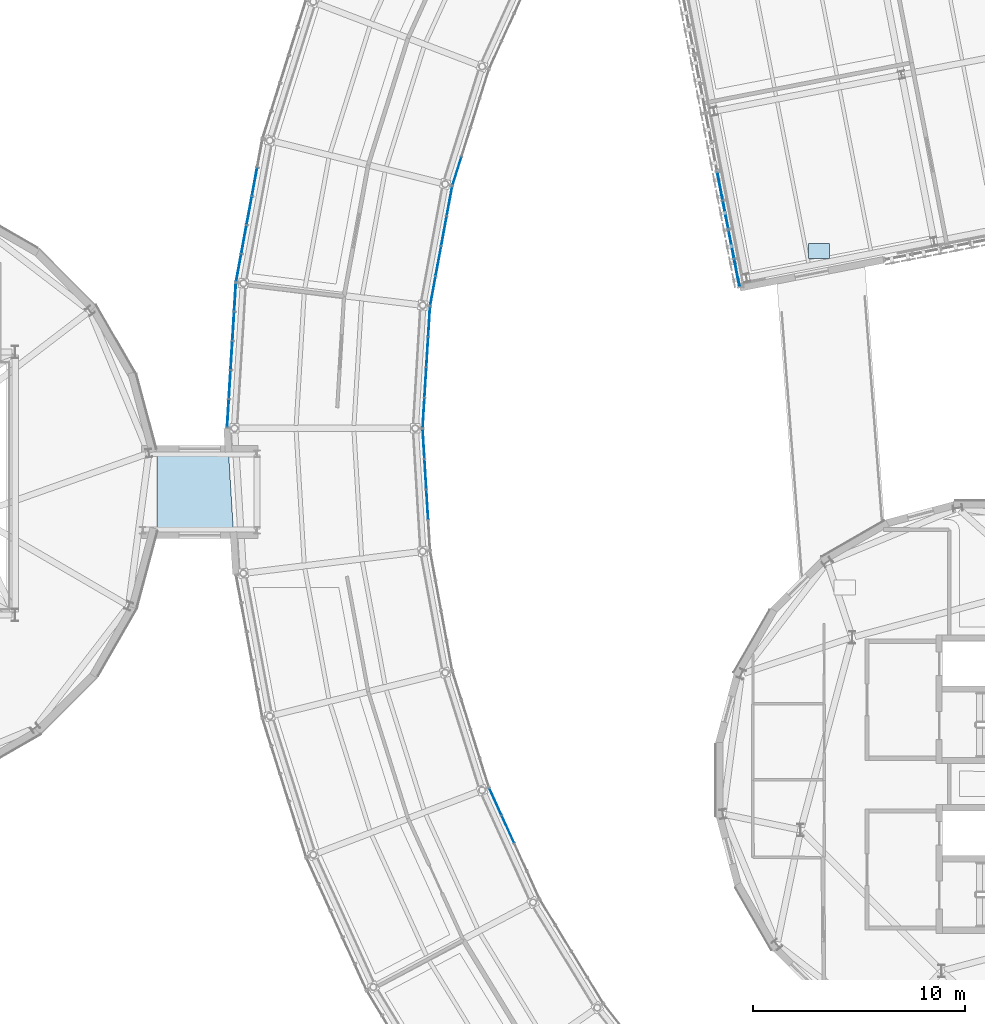
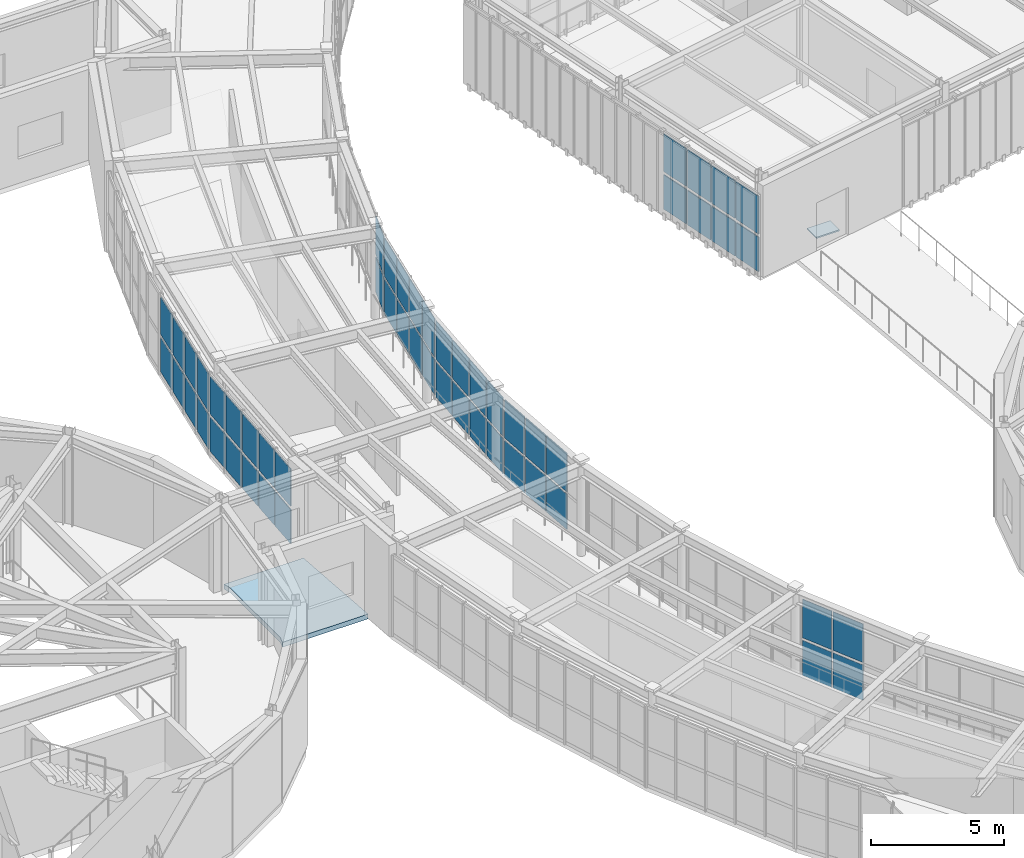
# One storey, part 58 of 103: 55 plates, 1 slab, 8 elements without a shape of their own.
"""IFC4 building model written with IfcOpenShell, lengths in metres."""

from ifc_helpers import new_model, si_unit, direction, frame, origin, origin_2d, place, context, subcontext, project, spatial, polyline, rectangle, outline, extrude, material, layer, layer_set, type_object, element, aggregate, save


model = new_model("IFC4")

# Units and contexts
model_context = context("Model", 3, precision=1e-05, world=origin(), true_north=direction((0.0, 1.0)))
body_context = subcontext(model_context, "Body", "Model", "MODEL_VIEW")
ifc_project = project(units=[si_unit("LENGTHUNIT", "METRE"), si_unit("AREAUNIT", "SQUARE_METRE"), si_unit("VOLUMEUNIT", "CUBIC_METRE"), si_unit("PLANEANGLEUNIT", "RADIAN"), si_unit("MASSUNIT", "GRAM", prefix="KILO")], contexts=[model_context])

# Site, building, storey
site_placement = place(None, origin())
site = spatial("IfcSite", under=ifc_project, at=site_placement, CompositionType="ELEMENT")
building_placement = place(site_placement, origin())
building = spatial("IfcBuilding", under=site, at=building_placement, Name="Varnklinge Art Gallery", CompositionType="ELEMENT")
storey_placement = place(building_placement, frame((0.0, 0.0, 5.10009765625)))
storey = spatial("IfcBuildingStorey", under=building, at=storey_placement, Name="L01", CompositionType="ELEMENT", Elevation=5.10009765625)

# Curtain wall, plates
ifc_material_1 = material(Name="Anodised Aluminium", Category="aluminium")
curtain_wall_type_1 = type_object("IfcCurtainWallType", Name="CW-R04", PredefinedType="USERDEFINED", material=ifc_material_1)
curtain_wall_1_placement = place(storey_placement, origin())
curtain_wall_1 = element("IfcCurtainWall", 1, at=curtain_wall_1_placement, inside=storey, type_object=curtain_wall_type_1, Name="L01 Curtain Wall CW-V2I-L01-24", ObjectType="UNITISED CURTAIN WALL", PredefinedType="USERDEFINED")
ifc_material_2 = material(Name="Insulated Low-E Triple Glazing", Category="glass")
ifc_layer_1 = layer(ifc_material_2, 0.031982421875)
ifc_layer_set_1 = layer_set([ifc_layer_1], Name="Insulated Low-E Triple Glazing")
plate_type_1 = type_object("IfcPlateType", Name="GLZ-32", PredefinedType="CURTAIN_PANEL", material=ifc_layer_set_1)
plate_1_placement = place(storey_placement, frame((50.2275390625, 67.129638671875, 0.11767578125), z_axis=(0.0, 0.0, 1.0), x_axis=(0.299706904751, 0.954031326134, 0.0)))
plate_1 = element("IfcPlate", 2, at=plate_1_placement, type_object=plate_type_1, Name="CW-V2I-L01-24 Glazing Panel 1.1", PredefinedType="CURTAIN_PANEL", context=body_context, shape_type="SweptSolid", body=[
    extrude(rectangle(XDim=1.355712890625, YDim=0.031982421875, at=origin_2d()), origin(), (0.0, 0.0, 1.0), 1.614501953125),
])
plate_2_placement = place(storey_placement, frame((50.2275390625, 67.129638671875, 1.84814453125), z_axis=(0.0, 0.0, 1.0), x_axis=(0.299706904751, 0.954031326134, 0.0)))
plate_2 = element("IfcPlate", 3, at=plate_2_placement, type_object=plate_type_1, Name="CW-V2I-L01-24 Glazing Panel 1.2", PredefinedType="CURTAIN_PANEL", context=body_context, shape_type="SweptSolid", body=[
    extrude(rectangle(XDim=1.355712890625, YDim=0.031982421875, at=origin_2d()), origin(), (0.0, 0.0, 1.0), 1.763671875),
])
aggregate(curtain_wall_1, [plate_1, plate_2])

curtain_wall_2_placement = place(storey_placement, origin())
curtain_wall_2 = element("IfcCurtainWall", 4, at=curtain_wall_2_placement, inside=storey, type_object=curtain_wall_type_1, Name="L01 Curtain Wall CW-V2I-L01-25", ObjectType="UNITISED CURTAIN WALL", PredefinedType="USERDEFINED")
plate_3_placement = place(storey_placement, frame((49.093017578125, 61.47998046875, 0.11767578125), z_axis=(0.0, 0.0, 1.0), x_axis=(0.181549039717, 0.983381892338, 0.0)))
plate_3 = element("IfcPlate", 5, at=plate_3_placement, type_object=plate_type_1, Name="CW-V2I-L01-25 Glazing Panel 1.1", PredefinedType="CURTAIN_PANEL", context=body_context, shape_type="SweptSolid", body=[
    extrude(rectangle(XDim=1.355712890625, YDim=0.031982421875, at=origin_2d()), origin(), (0.0, 0.0, 1.0), 1.614501953125),
])
plate_4_placement = place(storey_placement, frame((49.093017578125, 61.47998046875, 1.84814453125), z_axis=(0.0, 0.0, 1.0), x_axis=(0.181549039717, 0.983381892338, 0.0)))
plate_4 = element("IfcPlate", 6, at=plate_4_placement, type_object=plate_type_1, Name="CW-V2I-L01-25 Glazing Panel 1.2", PredefinedType="CURTAIN_PANEL", context=body_context, shape_type="SweptSolid", body=[
    extrude(rectangle(XDim=1.355712890625, YDim=0.031982421875, at=origin_2d()), origin(), (0.0, 0.0, 1.0), 1.763671875),
])
plate_5_placement = place(storey_placement, frame((49.352294921875, 62.883056640625, 0.11767578125), z_axis=(0.0, 0.0, 1.0), x_axis=(0.181549039717, 0.983381892338, 0.0)))
plate_5 = element("IfcPlate", 7, at=plate_5_placement, type_object=plate_type_1, Name="CW-V2I-L01-25 Glazing Panel 2.1", PredefinedType="CURTAIN_PANEL", context=body_context, shape_type="SweptSolid", body=[
    extrude(rectangle(XDim=1.3857421875, YDim=0.031982421875, at=origin_2d()), origin(), (0.0, 0.0, 1.0), 1.614501953125),
])
plate_6_placement = place(storey_placement, frame((49.352294921875, 62.883056640625, 1.84814453125), z_axis=(0.0, 0.0, 1.0), x_axis=(0.181549039717, 0.983381892338, 0.0)))
plate_6 = element("IfcPlate", 8, at=plate_6_placement, type_object=plate_type_1, Name="CW-V2I-L01-25 Glazing Panel 2.2", PredefinedType="CURTAIN_PANEL", context=body_context, shape_type="SweptSolid", body=[
    extrude(rectangle(XDim=1.3857421875, YDim=0.031982421875, at=origin_2d()), origin(), (0.0, 0.0, 1.0), 1.763671875),
])
plate_7_placement = place(storey_placement, frame((49.614013671875, 64.30078125, 0.11767578125), z_axis=(0.0, 0.0, 1.0), x_axis=(0.181549039717, 0.983381892338, 0.0)))
plate_7 = element("IfcPlate", 9, at=plate_7_placement, type_object=plate_type_1, Name="CW-V2I-L01-25 Glazing Panel 3.1", PredefinedType="CURTAIN_PANEL", context=body_context, shape_type="SweptSolid", body=[
    extrude(rectangle(XDim=1.3857421875, YDim=0.031982421875, at=origin_2d()), origin(), (0.0, 0.0, 1.0), 1.614501953125),
])
plate_8_placement = place(storey_placement, frame((49.614013671875, 64.30078125, 1.84814453125), z_axis=(0.0, 0.0, 1.0), x_axis=(0.181549039717, 0.983381892338, 0.0)))
plate_8 = element("IfcPlate", 10, at=plate_8_placement, type_object=plate_type_1, Name="CW-V2I-L01-25 Glazing Panel 3.2", PredefinedType="CURTAIN_PANEL", context=body_context, shape_type="SweptSolid", body=[
    extrude(rectangle(XDim=1.3857421875, YDim=0.031982421875, at=origin_2d()), origin(), (0.0, 0.0, 1.0), 1.763671875),
])
plate_9_placement = place(storey_placement, frame((49.873291015625, 65.703857421875, 0.11767578125), z_axis=(0.0, 0.0, 1.0), x_axis=(0.181549039717, 0.983381892338, 0.0)))
plate_9 = element("IfcPlate", 11, at=plate_9_placement, type_object=plate_type_1, Name="CW-V2I-L01-25 Glazing Panel 4.1", PredefinedType="CURTAIN_PANEL", context=body_context, shape_type="SweptSolid", body=[
    extrude(rectangle(XDim=1.355712890625, YDim=0.031982421875, at=origin_2d()), origin(), (0.0, 0.0, 1.0), 1.614501953125),
])
plate_10_placement = place(storey_placement, frame((49.873291015625, 65.703857421875, 1.84814453125), z_axis=(0.0, 0.0, 1.0), x_axis=(0.181549039717, 0.983381892338, 0.0)))
plate_10 = element("IfcPlate", 12, at=plate_10_placement, type_object=plate_type_1, Name="CW-V2I-L01-25 Glazing Panel 4.2", PredefinedType="CURTAIN_PANEL", context=body_context, shape_type="SweptSolid", body=[
    extrude(rectangle(XDim=1.355712890625, YDim=0.031982421875, at=origin_2d()), origin(), (0.0, 0.0, 1.0), 1.763671875),
])
aggregate(curtain_wall_2, [plate_3, plate_4, plate_5, plate_6, plate_7, plate_8, plate_9, plate_10])

curtain_wall_3_placement = place(storey_placement, origin())
curtain_wall_3 = element("IfcCurtainWall", 13, at=curtain_wall_3_placement, inside=storey, type_object=curtain_wall_type_1, Name="L01 Curtain Wall CW-V2I-L01-26", ObjectType="UNITISED CURTAIN WALL", PredefinedType="USERDEFINED")
plate_11_placement = place(storey_placement, frame((48.6533203125, 55.734619140625, 0.11767578125), z_axis=(0.0, 0.0, 1.0), x_axis=(0.06087433122, 0.9981454382, 0.0)))
plate_11 = element("IfcPlate", 14, at=plate_11_placement, type_object=plate_type_1, Name="CW-V2I-L01-26 Glazing Panel 1.1", PredefinedType="CURTAIN_PANEL", context=body_context, shape_type="SweptSolid", body=[
    extrude(rectangle(XDim=1.355712890625, YDim=0.031982421875, at=origin_2d()), origin(), (0.0, 0.0, 1.0), 1.614501953125),
])
plate_12_placement = place(storey_placement, frame((48.6533203125, 55.734619140625, 1.84814453125), z_axis=(0.0, 0.0, 1.0), x_axis=(0.06087433122, 0.9981454382, 0.0)))
plate_12 = element("IfcPlate", 15, at=plate_12_placement, type_object=plate_type_1, Name="CW-V2I-L01-26 Glazing Panel 1.2", PredefinedType="CURTAIN_PANEL", context=body_context, shape_type="SweptSolid", body=[
    extrude(rectangle(XDim=1.355712890625, YDim=0.031982421875, at=origin_2d()), origin(), (0.0, 0.0, 1.0), 1.763671875),
])
plate_13_placement = place(storey_placement, frame((48.739990234375, 57.15869140625, 0.11767578125), z_axis=(0.0, 0.0, 1.0), x_axis=(0.06087433122, 0.9981454382, 0.0)))
plate_13 = element("IfcPlate", 16, at=plate_13_placement, type_object=plate_type_1, Name="CW-V2I-L01-26 Glazing Panel 2.1", PredefinedType="CURTAIN_PANEL", context=body_context, shape_type="SweptSolid", body=[
    extrude(rectangle(XDim=1.3857421875, YDim=0.031982421875, at=origin_2d()), origin(), (0.0, 0.0, 1.0), 1.614501953125),
])
plate_14_placement = place(storey_placement, frame((48.739990234375, 57.15869140625, 1.84814453125), z_axis=(0.0, 0.0, 1.0), x_axis=(0.06087433122, 0.9981454382, 0.0)))
plate_14 = element("IfcPlate", 17, at=plate_14_placement, type_object=plate_type_1, Name="CW-V2I-L01-26 Glazing Panel 2.2", PredefinedType="CURTAIN_PANEL", context=body_context, shape_type="SweptSolid", body=[
    extrude(rectangle(XDim=1.3857421875, YDim=0.031982421875, at=origin_2d()), origin(), (0.0, 0.0, 1.0), 1.763671875),
])
plate_15_placement = place(storey_placement, frame((48.827880859375, 58.59765625, 0.11767578125), z_axis=(0.0, 0.0, 1.0), x_axis=(0.06087433122, 0.9981454382, 0.0)))
plate_15 = element("IfcPlate", 18, at=plate_15_placement, type_object=plate_type_1, Name="CW-V2I-L01-26 Glazing Panel 3.1", PredefinedType="CURTAIN_PANEL", context=body_context, shape_type="SweptSolid", body=[
    extrude(rectangle(XDim=1.3857421875, YDim=0.031982421875, at=origin_2d()), origin(), (0.0, 0.0, 1.0), 1.614501953125),
])
plate_16_placement = place(storey_placement, frame((48.827880859375, 58.59765625, 1.84814453125), z_axis=(0.0, 0.0, 1.0), x_axis=(0.06087433122, 0.9981454382, 0.0)))
plate_16 = element("IfcPlate", 19, at=plate_16_placement, type_object=plate_type_1, Name="CW-V2I-L01-26 Glazing Panel 3.2", PredefinedType="CURTAIN_PANEL", context=body_context, shape_type="SweptSolid", body=[
    extrude(rectangle(XDim=1.3857421875, YDim=0.031982421875, at=origin_2d()), origin(), (0.0, 0.0, 1.0), 1.763671875),
])
plate_17_placement = place(storey_placement, frame((48.91455078125, 60.02197265625, 0.11767578125), z_axis=(0.0, 0.0, 1.0), x_axis=(0.06087433122, 0.9981454382, 0.0)))
plate_17 = element("IfcPlate", 20, at=plate_17_placement, type_object=plate_type_1, Name="CW-V2I-L01-26 Glazing Panel 4.1", PredefinedType="CURTAIN_PANEL", context=body_context, shape_type="SweptSolid", body=[
    extrude(rectangle(XDim=1.355712890625, YDim=0.031982421875, at=origin_2d()), origin(), (0.0, 0.0, 1.0), 1.614501953125),
])
plate_18_placement = place(storey_placement, frame((48.91455078125, 60.02197265625, 1.84814453125), z_axis=(0.0, 0.0, 1.0), x_axis=(0.06087433122, 0.9981454382, 0.0)))
plate_18 = element("IfcPlate", 21, at=plate_18_placement, type_object=plate_type_1, Name="CW-V2I-L01-26 Glazing Panel 4.2", PredefinedType="CURTAIN_PANEL", context=body_context, shape_type="SweptSolid", body=[
    extrude(rectangle(XDim=1.355712890625, YDim=0.031982421875, at=origin_2d()), origin(), (0.0, 0.0, 1.0), 1.763671875),
])
aggregate(curtain_wall_3, [plate_11, plate_12, plate_13, plate_14, plate_15, plate_16, plate_17, plate_18])

curtain_wall_4_placement = place(storey_placement, origin())
curtain_wall_4 = element("IfcCurtainWall", 22, at=curtain_wall_4_placement, inside=storey, type_object=curtain_wall_type_1, Name="L01 Curtain Wall CW-V2I-L01-27", ObjectType="UNITISED CURTAIN WALL", PredefinedType="USERDEFINED")
plate_19_placement = place(storey_placement, frame((48.827880859375, 51.40234375, 0.11767578125), z_axis=(0.0, 0.0, 1.0), x_axis=(-0.06087433122, 0.9981454382, 0.0)))
plate_19 = element("IfcPlate", 23, at=plate_19_placement, type_object=plate_type_1, Name="CW-V2I-L01-27 Glazing Panel 2.1", PredefinedType="CURTAIN_PANEL", context=body_context, shape_type="SweptSolid", body=[
    extrude(rectangle(XDim=1.3857421875, YDim=0.031982421875, at=origin_2d()), origin(), (0.0, 0.0, 1.0), 1.614501953125),
])
plate_20_placement = place(storey_placement, frame((48.827880859375, 51.40234375, 1.84814453125), z_axis=(0.0, 0.0, 1.0), x_axis=(-0.06087433122, 0.9981454382, 0.0)))
plate_20 = element("IfcPlate", 24, at=plate_20_placement, type_object=plate_type_1, Name="CW-V2I-L01-27 Glazing Panel 2.2", PredefinedType="CURTAIN_PANEL", context=body_context, shape_type="SweptSolid", body=[
    extrude(rectangle(XDim=1.3857421875, YDim=0.031982421875, at=origin_2d()), origin(), (0.0, 0.0, 1.0), 1.763671875),
])
plate_21_placement = place(storey_placement, frame((48.739990234375, 52.84130859375, 0.11767578125), z_axis=(0.0, 0.0, 1.0), x_axis=(-0.06087433122, 0.9981454382, 0.0)))
plate_21 = element("IfcPlate", 25, at=plate_21_placement, type_object=plate_type_1, Name="CW-V2I-L01-27 Glazing Panel 3.1", PredefinedType="CURTAIN_PANEL", context=body_context, shape_type="SweptSolid", body=[
    extrude(rectangle(XDim=1.3857421875, YDim=0.031982421875, at=origin_2d()), origin(), (0.0, 0.0, 1.0), 1.614501953125),
])
plate_22_placement = place(storey_placement, frame((48.739990234375, 52.84130859375, 1.84814453125), z_axis=(0.0, 0.0, 1.0), x_axis=(-0.06087433122, 0.9981454382, 0.0)))
plate_22 = element("IfcPlate", 26, at=plate_22_placement, type_object=plate_type_1, Name="CW-V2I-L01-27 Glazing Panel 3.2", PredefinedType="CURTAIN_PANEL", context=body_context, shape_type="SweptSolid", body=[
    extrude(rectangle(XDim=1.3857421875, YDim=0.031982421875, at=origin_2d()), origin(), (0.0, 0.0, 1.0), 1.763671875),
])
plate_23_placement = place(storey_placement, frame((48.6533203125, 54.265380859375, 0.11767578125), z_axis=(0.0, 0.0, 1.0), x_axis=(-0.06087433122, 0.9981454382, 0.0)))
plate_23 = element("IfcPlate", 27, at=plate_23_placement, type_object=plate_type_1, Name="CW-V2I-L01-27 Glazing Panel 4.1", PredefinedType="CURTAIN_PANEL", context=body_context, shape_type="SweptSolid", body=[
    extrude(rectangle(XDim=1.355712890625, YDim=0.031982421875, at=origin_2d()), origin(), (0.0, 0.0, 1.0), 1.614501953125),
])
plate_24_placement = place(storey_placement, frame((48.6533203125, 54.265380859375, 1.84814453125), z_axis=(0.0, 0.0, 1.0), x_axis=(-0.06087433122, 0.9981454382, 0.0)))
plate_24 = element("IfcPlate", 28, at=plate_24_placement, type_object=plate_type_1, Name="CW-V2I-L01-27 Glazing Panel 4.2", PredefinedType="CURTAIN_PANEL", context=body_context, shape_type="SweptSolid", body=[
    extrude(rectangle(XDim=1.355712890625, YDim=0.031982421875, at=origin_2d()), origin(), (0.0, 0.0, 1.0), 1.763671875),
])
aggregate(curtain_wall_4, [plate_19, plate_20, plate_21, plate_22, plate_23, plate_24])

curtain_wall_5_placement = place(storey_placement, origin())
curtain_wall_5 = element("IfcCurtainWall", 29, at=curtain_wall_5_placement, inside=storey, type_object=curtain_wall_type_1, Name="L01 Curtain Wall CW-V2I-L01-30", ObjectType="UNITISED CURTAIN WALL", PredefinedType="USERDEFINED")
plate_25_placement = place(storey_placement, frame((52.629638671875, 36.101318359375, 0.11767578125), z_axis=(0.0, 0.0, 1.0), x_axis=(-0.413422293217, 0.910539404678, 0.0)))
plate_25 = element("IfcPlate", 30, at=plate_25_placement, type_object=plate_type_1, Name="CW-V2I-L01-30 Glazing Panel 3.1", PredefinedType="CURTAIN_PANEL", context=body_context, shape_type="SweptSolid", body=[
    extrude(rectangle(XDim=1.3857421875, YDim=0.031982421875, at=origin_2d()), origin(), (0.0, 0.0, 1.0), 1.614501953125),
])
plate_26_placement = place(storey_placement, frame((52.629638671875, 36.101318359375, 1.84814453125), z_axis=(0.0, 0.0, 1.0), x_axis=(-0.413422293217, 0.910539404678, 0.0)))
plate_26 = element("IfcPlate", 31, at=plate_26_placement, type_object=plate_type_1, Name="CW-V2I-L01-30 Glazing Panel 3.2", PredefinedType="CURTAIN_PANEL", context=body_context, shape_type="SweptSolid", body=[
    extrude(rectangle(XDim=1.3857421875, YDim=0.031982421875, at=origin_2d()), origin(), (0.0, 0.0, 1.0), 1.763671875),
])
plate_27_placement = place(storey_placement, frame((52.039794921875, 37.400390625, 0.11767578125), z_axis=(0.0, 0.0, 1.0), x_axis=(-0.413422293217, 0.910539404678, 0.0)))
plate_27 = element("IfcPlate", 32, at=plate_27_placement, type_object=plate_type_1, Name="CW-V2I-L01-30 Glazing Panel 4.1", PredefinedType="CURTAIN_PANEL", context=body_context, shape_type="SweptSolid", body=[
    extrude(rectangle(XDim=1.355712890625, YDim=0.031982421875, at=origin_2d()), origin(), (0.0, 0.0, 1.0), 1.614501953125),
])
plate_28_placement = place(storey_placement, frame((52.039794921875, 37.400390625, 1.84814453125), z_axis=(0.0, 0.0, 1.0), x_axis=(-0.413422293217, 0.910539404678, 0.0)))
plate_28 = element("IfcPlate", 33, at=plate_28_placement, type_object=plate_type_1, Name="CW-V2I-L01-30 Glazing Panel 4.2", PredefinedType="CURTAIN_PANEL", context=body_context, shape_type="SweptSolid", body=[
    extrude(rectangle(XDim=1.355712890625, YDim=0.031982421875, at=origin_2d()), origin(), (0.0, 0.0, 1.0), 1.763671875),
])
aggregate(curtain_wall_5, [plate_25, plate_26, plate_27, plate_28])

ifc_material_3 = material(Name="Anodised Aluminium", Category="aluminium")
curtain_wall_type_2 = type_object("IfcCurtainWallType", Name="CW-R02", PredefinedType="USERDEFINED", material=ifc_material_3)
curtain_wall_6_placement = place(storey_placement, origin())
curtain_wall_6 = element("IfcCurtainWall", 34, at=curtain_wall_6_placement, inside=storey, type_object=curtain_wall_type_2, Name="L01 Curtain Wall CW-V2O-L01-25", ObjectType="UNITISED CURTAIN WALL", PredefinedType="USERDEFINED")
ifc_material_4 = material(Name="Insulated Low-E Triple Glazing", Category="glass")
ifc_layer_2 = layer(ifc_material_4, 0.0380859375)
ifc_layer_set_2 = layer_set([ifc_layer_2], Name="Insulated Low-E Triple Glazing")
plate_type_2 = type_object("IfcPlateType", Name="GLZ-38", PredefinedType="CURTAIN_PANEL", material=ifc_layer_set_2)
plate_29_placement = place(storey_placement, frame((40.6865234375, 66.617919921875, 0.14794921875), z_axis=(0.0, 0.0, 1.0), x_axis=(-0.18172066947, -0.983350191075, 0.0)))
plate_29 = element("IfcPlate", 35, at=plate_29_placement, type_object=plate_type_2, Name="CW-V2O-L01-25 Glazing Panel 2.1", PredefinedType="CURTAIN_PANEL", context=body_context, shape_type="SweptSolid", body=[
    extrude(rectangle(XDim=1.31689453125, YDim=0.0380859375, at=origin_2d()), origin(), (0.0, 0.0, 1.0), 1.5693359375),
])
plate_30_placement = place(storey_placement, frame((40.6865234375, 66.617919921875, 1.86328125), z_axis=(0.0, 0.0, 1.0), x_axis=(-0.18172066947, -0.983350191075, 0.0)))
plate_30 = element("IfcPlate", 36, at=plate_30_placement, type_object=plate_type_2, Name="CW-V2O-L01-25 Glazing Panel 2.2", PredefinedType="CURTAIN_PANEL", context=body_context, shape_type="SweptSolid", body=[
    extrude(rectangle(XDim=1.31689453125, YDim=0.0380859375, at=origin_2d()), origin(), (0.0, 0.0, 1.0), 1.718505859375),
])
plate_31_placement = place(storey_placement, frame((40.436279296875, 65.26318359375, 0.14794921875), z_axis=(0.0, 0.0, 1.0), x_axis=(-0.18172066947, -0.983350191075, 0.0)))
plate_31 = element("IfcPlate", 37, at=plate_31_placement, type_object=plate_type_2, Name="CW-V2O-L01-25 Glazing Panel 3.1", PredefinedType="CURTAIN_PANEL", context=body_context, shape_type="SweptSolid", body=[
    extrude(rectangle(XDim=1.31689453125, YDim=0.0380859375, at=origin_2d()), origin(), (0.0, 0.0, 1.0), 1.5693359375),
])
plate_32_placement = place(storey_placement, frame((40.436279296875, 65.26318359375, 1.86328125), z_axis=(0.0, 0.0, 1.0), x_axis=(-0.18172066947, -0.983350191075, 0.0)))
plate_32 = element("IfcPlate", 38, at=plate_32_placement, type_object=plate_type_2, Name="CW-V2O-L01-25 Glazing Panel 3.2", PredefinedType="CURTAIN_PANEL", context=body_context, shape_type="SweptSolid", body=[
    extrude(rectangle(XDim=1.31689453125, YDim=0.0380859375, at=origin_2d()), origin(), (0.0, 0.0, 1.0), 1.718505859375),
])
plate_33_placement = place(storey_placement, frame((40.18603515625, 63.908203125, 0.14794921875), z_axis=(0.0, 0.0, 1.0), x_axis=(-0.18172066947, -0.983350191075, 0.0)))
plate_33 = element("IfcPlate", 39, at=plate_33_placement, type_object=plate_type_2, Name="CW-V2O-L01-25 Glazing Panel 4.1", PredefinedType="CURTAIN_PANEL", context=body_context, shape_type="SweptSolid", body=[
    extrude(rectangle(XDim=1.31689453125, YDim=0.0380859375, at=origin_2d()), origin(), (0.0, 0.0, 1.0), 1.5693359375),
])
plate_34_placement = place(storey_placement, frame((40.18603515625, 63.908203125, 1.86328125), z_axis=(0.0, 0.0, 1.0), x_axis=(-0.18172066947, -0.983350191075, 0.0)))
plate_34 = element("IfcPlate", 40, at=plate_34_placement, type_object=plate_type_2, Name="CW-V2O-L01-25 Glazing Panel 4.2", PredefinedType="CURTAIN_PANEL", context=body_context, shape_type="SweptSolid", body=[
    extrude(rectangle(XDim=1.31689453125, YDim=0.0380859375, at=origin_2d()), origin(), (0.0, 0.0, 1.0), 1.718505859375),
])
plate_35_placement = place(storey_placement, frame((39.938720703125, 62.5693359375, 0.14794921875), z_axis=(0.0, 0.0, 1.0), x_axis=(-0.18172066947, -0.983350191075, 0.0)))
plate_35 = element("IfcPlate", 41, at=plate_35_placement, type_object=plate_type_2, Name="CW-V2O-L01-25 Glazing Panel 5.1", PredefinedType="CURTAIN_PANEL", context=body_context, shape_type="SweptSolid", body=[
    extrude(rectangle(XDim=1.2841796875, YDim=0.0380859375, at=origin_2d()), origin(), (0.0, 0.0, 1.0), 1.5693359375),
])
plate_36_placement = place(storey_placement, frame((39.938720703125, 62.5693359375, 1.86328125), z_axis=(0.0, 0.0, 1.0), x_axis=(-0.18172066947, -0.983350191075, 0.0)))
plate_36 = element("IfcPlate", 42, at=plate_36_placement, type_object=plate_type_2, Name="CW-V2O-L01-25 Glazing Panel 5.2", PredefinedType="CURTAIN_PANEL", context=body_context, shape_type="SweptSolid", body=[
    extrude(rectangle(XDim=1.2841796875, YDim=0.0380859375, at=origin_2d()), origin(), (0.0, 0.0, 1.0), 1.718505859375),
])
aggregate(curtain_wall_6, [plate_29, plate_30, plate_31, plate_32, plate_33, plate_34, plate_35, plate_36])

curtain_wall_7_placement = place(storey_placement, origin())
curtain_wall_7 = element("IfcCurtainWall", 43, at=curtain_wall_7_placement, inside=storey, type_object=curtain_wall_type_2, Name="L01 Curtain Wall CW-V2O-L01-26", ObjectType="UNITISED CURTAIN WALL", PredefinedType="USERDEFINED")
plate_37_placement = place(storey_placement, frame((39.767578125, 61.172119140625, 0.14794921875), z_axis=(0.0, 0.0, 1.0), x_axis=(-0.06087433122, -0.9981454382, 0.0)))
plate_37 = element("IfcPlate", 44, at=plate_37_placement, type_object=plate_type_2, Name="CW-V2O-L01-26 Glazing Panel 1.1", PredefinedType="CURTAIN_PANEL", context=body_context, shape_type="SweptSolid", body=[
    extrude(rectangle(XDim=1.2841796875, YDim=0.0380859375, at=origin_2d()), origin(), (0.0, 0.0, 1.0), 1.5693359375),
])
plate_38_placement = place(storey_placement, frame((39.767578125, 61.172119140625, 1.86328125), z_axis=(0.0, 0.0, 1.0), x_axis=(-0.06087433122, -0.9981454382, 0.0)))
plate_38 = element("IfcPlate", 45, at=plate_38_placement, type_object=plate_type_2, Name="CW-V2O-L01-26 Glazing Panel 1.2", PredefinedType="CURTAIN_PANEL", context=body_context, shape_type="SweptSolid", body=[
    extrude(rectangle(XDim=1.2841796875, YDim=0.0380859375, at=origin_2d()), origin(), (0.0, 0.0, 1.0), 1.718505859375),
])
plate_39_placement = place(storey_placement, frame((39.684814453125, 59.813232421875, 0.14794921875), z_axis=(0.0, 0.0, 1.0), x_axis=(-0.06087433122, -0.9981454382, 0.0)))
plate_39 = element("IfcPlate", 46, at=plate_39_placement, type_object=plate_type_2, Name="CW-V2O-L01-26 Glazing Panel 2.1", PredefinedType="CURTAIN_PANEL", context=body_context, shape_type="SweptSolid", body=[
    extrude(rectangle(XDim=1.31689453125, YDim=0.0380859375, at=origin_2d()), origin(), (0.0, 0.0, 1.0), 1.5693359375),
])
plate_40_placement = place(storey_placement, frame((39.684814453125, 59.813232421875, 1.86328125), z_axis=(0.0, 0.0, 1.0), x_axis=(-0.06087433122, -0.9981454382, 0.0)))
plate_40 = element("IfcPlate", 47, at=plate_40_placement, type_object=plate_type_2, Name="CW-V2O-L01-26 Glazing Panel 2.2", PredefinedType="CURTAIN_PANEL", context=body_context, shape_type="SweptSolid", body=[
    extrude(rectangle(XDim=1.31689453125, YDim=0.0380859375, at=origin_2d()), origin(), (0.0, 0.0, 1.0), 1.718505859375),
])
plate_41_placement = place(storey_placement, frame((39.60107421875, 58.43798828125, 0.14794921875), z_axis=(0.0, 0.0, 1.0), x_axis=(-0.06087433122, -0.9981454382, 0.0)))
plate_41 = element("IfcPlate", 48, at=plate_41_placement, type_object=plate_type_2, Name="CW-V2O-L01-26 Glazing Panel 3.1", PredefinedType="CURTAIN_PANEL", context=body_context, shape_type="SweptSolid", body=[
    extrude(rectangle(XDim=1.31689453125, YDim=0.0380859375, at=origin_2d()), origin(), (0.0, 0.0, 1.0), 1.5693359375),
])
plate_42_placement = place(storey_placement, frame((39.60107421875, 58.43798828125, 1.86328125), z_axis=(0.0, 0.0, 1.0), x_axis=(-0.06087433122, -0.9981454382, 0.0)))
plate_42 = element("IfcPlate", 49, at=plate_42_placement, type_object=plate_type_2, Name="CW-V2O-L01-26 Glazing Panel 3.2", PredefinedType="CURTAIN_PANEL", context=body_context, shape_type="SweptSolid", body=[
    extrude(rectangle(XDim=1.31689453125, YDim=0.0380859375, at=origin_2d()), origin(), (0.0, 0.0, 1.0), 1.718505859375),
])
plate_43_placement = place(storey_placement, frame((39.51708984375, 57.062744140625, 0.14794921875), z_axis=(0.0, 0.0, 1.0), x_axis=(-0.06087433122, -0.9981454382, 0.0)))
plate_43 = element("IfcPlate", 50, at=plate_43_placement, type_object=plate_type_2, Name="CW-V2O-L01-26 Glazing Panel 4.1", PredefinedType="CURTAIN_PANEL", context=body_context, shape_type="SweptSolid", body=[
    extrude(rectangle(XDim=1.31689453125, YDim=0.0380859375, at=origin_2d()), origin(), (0.0, 0.0, 1.0), 1.5693359375),
])
plate_44_placement = place(storey_placement, frame((39.51708984375, 57.062744140625, 1.86328125), z_axis=(0.0, 0.0, 1.0), x_axis=(-0.06087433122, -0.9981454382, 0.0)))
plate_44 = element("IfcPlate", 51, at=plate_44_placement, type_object=plate_type_2, Name="CW-V2O-L01-26 Glazing Panel 4.2", PredefinedType="CURTAIN_PANEL", context=body_context, shape_type="SweptSolid", body=[
    extrude(rectangle(XDim=1.31689453125, YDim=0.0380859375, at=origin_2d()), origin(), (0.0, 0.0, 1.0), 1.718505859375),
])
plate_45_placement = place(storey_placement, frame((39.434326171875, 55.703857421875, 0.14794921875), z_axis=(0.0, 0.0, 1.0), x_axis=(-0.06087433122, -0.9981454382, 0.0)))
plate_45 = element("IfcPlate", 52, at=plate_45_placement, type_object=plate_type_2, Name="CW-V2O-L01-26 Glazing Panel 5.1", PredefinedType="CURTAIN_PANEL", context=body_context, shape_type="SweptSolid", body=[
    extrude(rectangle(XDim=1.2841796875, YDim=0.0380859375, at=origin_2d()), origin(), (0.0, 0.0, 1.0), 1.5693359375),
])
plate_46_placement = place(storey_placement, frame((39.434326171875, 55.703857421875, 1.86328125), z_axis=(0.0, 0.0, 1.0), x_axis=(-0.06087433122, -0.9981454382, 0.0)))
plate_46 = element("IfcPlate", 53, at=plate_46_placement, type_object=plate_type_2, Name="CW-V2O-L01-26 Glazing Panel 5.2", PredefinedType="CURTAIN_PANEL", context=body_context, shape_type="SweptSolid", body=[
    extrude(rectangle(XDim=1.2841796875, YDim=0.0380859375, at=origin_2d()), origin(), (0.0, 0.0, 1.0), 1.718505859375),
])
aggregate(curtain_wall_7, [plate_37, plate_38, plate_39, plate_40, plate_41, plate_42, plate_43, plate_44, plate_45, plate_46])

ifc_material_5 = material(Name="Anodised Aluminium", Category="aluminium")
curtain_wall_type_3 = type_object("IfcCurtainWallType", Name="CW-L06", PredefinedType="USERDEFINED", material=ifc_material_5)
curtain_wall_8_placement = place(storey_placement, origin())
curtain_wall_8 = element("IfcCurtainWall", 54, at=curtain_wall_8_placement, inside=storey, type_object=curtain_wall_type_3, Name="L01 Curtain Wall CW-V4B-L01-4-1-3", ObjectType="UNITISED CURTAIN WALL", PredefinedType="USERDEFINED")
ifc_material_6 = material(Name="Insulated Low-E Triple Glazing", Category="glass")
ifc_layer_3 = layer(ifc_material_6, 0.0439453125)
ifc_layer_set_3 = layer_set([ifc_layer_3], Name="Insulated Low-E Triple Glazing")
plate_type_3 = type_object("IfcPlateType", Name="GLZ-44", PredefinedType="CURTAIN_PANEL", material=ifc_layer_set_3)
plate_47_placement = place(storey_placement, frame((62.625, 66.412841796875, 0.14794921875), z_axis=(0.0, 0.0, 1.0), x_axis=(0.190808995377, -0.981627183448, 0.0)))
plate_47 = element("IfcPlate", 55, at=plate_47_placement, type_object=plate_type_3, Name="CW-V4B-L01-4-1-3 Glazing Panel 1.1", PredefinedType="CURTAIN_PANEL", context=body_context, shape_type="SweptSolid", body=[
    extrude(rectangle(XDim=1.29150390625, YDim=0.0439453125, at=origin_2d()), origin(), (0.0, 0.0, 1.0), 1.5791015625),
])
plate_48_placement = place(storey_placement, frame((62.625, 66.412841796875, 1.872802734375), z_axis=(0.0, 0.0, 1.0), x_axis=(0.190808995377, -0.981627183448, 0.0)))
plate_48 = element("IfcPlate", 56, at=plate_48_placement, type_object=plate_type_3, Name="CW-V4B-L01-4-1-3 Glazing Panel 1.2", PredefinedType="CURTAIN_PANEL", context=body_context, shape_type="SweptSolid", body=[
    extrude(rectangle(XDim=1.29150390625, YDim=0.0439453125, at=origin_2d()), origin(), (0.0, 0.0, 1.0), 1.72900390625),
])
plate_49_placement = place(storey_placement, frame((62.888427734375, 65.056884765625, 0.14794921875), z_axis=(0.0, 0.0, 1.0), x_axis=(0.190808995377, -0.981627183448, 0.0)))
plate_49 = element("IfcPlate", 57, at=plate_49_placement, type_object=plate_type_3, Name="CW-V4B-L01-4-1-3 Glazing Panel 2.1", PredefinedType="CURTAIN_PANEL", context=body_context, shape_type="SweptSolid", body=[
    extrude(rectangle(XDim=1.3291015625, YDim=0.0439453125, at=origin_2d()), origin(), (0.0, 0.0, 1.0), 1.5791015625),
])
plate_50_placement = place(storey_placement, frame((62.888427734375, 65.056884765625, 1.872802734375), z_axis=(0.0, 0.0, 1.0), x_axis=(0.190808995377, -0.981627183448, 0.0)))
plate_50 = element("IfcPlate", 58, at=plate_50_placement, type_object=plate_type_3, Name="CW-V4B-L01-4-1-3 Glazing Panel 2.2", PredefinedType="CURTAIN_PANEL", context=body_context, shape_type="SweptSolid", body=[
    extrude(rectangle(XDim=1.3291015625, YDim=0.0439453125, at=origin_2d()), origin(), (0.0, 0.0, 1.0), 1.72900390625),
])
plate_51_placement = place(storey_placement, frame((63.155517578125, 63.6826171875, 0.14794921875), z_axis=(0.0, 0.0, 1.0), x_axis=(0.190808995377, -0.981627183448, 0.0)))
plate_51 = element("IfcPlate", 59, at=plate_51_placement, type_object=plate_type_3, Name="CW-V4B-L01-4-1-3 Glazing Panel 3.1", PredefinedType="CURTAIN_PANEL", context=body_context, shape_type="SweptSolid", body=[
    extrude(rectangle(XDim=1.3291015625, YDim=0.0439453125, at=origin_2d()), origin(), (0.0, 0.0, 1.0), 1.5791015625),
])
plate_52_placement = place(storey_placement, frame((63.155517578125, 63.6826171875, 1.872802734375), z_axis=(0.0, 0.0, 1.0), x_axis=(0.190808995377, -0.981627183448, 0.0)))
plate_52 = element("IfcPlate", 60, at=plate_52_placement, type_object=plate_type_3, Name="CW-V4B-L01-4-1-3 Glazing Panel 3.2", PredefinedType="CURTAIN_PANEL", context=body_context, shape_type="SweptSolid", body=[
    extrude(rectangle(XDim=1.3291015625, YDim=0.0439453125, at=origin_2d()), origin(), (0.0, 0.0, 1.0), 1.72900390625),
])
plate_53_placement = place(storey_placement, frame((63.419189453125, 62.32666015625, 0.14794921875), z_axis=(0.0, 0.0, 1.0), x_axis=(0.190808995377, -0.981627183448, 0.0)))
plate_53 = element("IfcPlate", 61, at=plate_53_placement, type_object=plate_type_3, Name="CW-V4B-L01-4-1-3 Glazing Panel 4.1", PredefinedType="CURTAIN_PANEL", context=body_context, shape_type="SweptSolid", body=[
    extrude(rectangle(XDim=1.29150390625, YDim=0.0439453125, at=origin_2d()), origin(), (0.0, 0.0, 1.0), 1.5791015625),
])
plate_54_placement = place(storey_placement, frame((63.419189453125, 62.32666015625, 1.872802734375), z_axis=(0.0, 0.0, 1.0), x_axis=(0.190808995377, -0.981627183448, 0.0)))
plate_54 = element("IfcPlate", 62, at=plate_54_placement, type_object=plate_type_3, Name="CW-V4B-L01-4-1-3 Glazing Panel 4.2", PredefinedType="CURTAIN_PANEL", context=body_context, shape_type="SweptSolid", body=[
    extrude(rectangle(XDim=1.29150390625, YDim=0.0439453125, at=origin_2d()), origin(), (0.0, 0.0, 1.0), 1.72900390625),
])
aggregate(curtain_wall_8, [plate_47, plate_48, plate_49, plate_50, plate_51, plate_52, plate_53, plate_54])

# Plate
ifc_material_7 = material(Name="Steel S355", Category="steel")
ifc_layer_4 = layer(ifc_material_7, 0.06005859375)
ifc_layer_set_4 = layer_set([ifc_layer_4], Name="Steel S355")
plate_type_4 = type_object("IfcPlateType", Name="PLT-BP3", PredefinedType="SHEET", material=ifc_layer_set_4)
plate_55_placement = place(storey_placement, frame((67.2919921875, 63.365966796875, -0.280029296875), z_axis=(0.0, 0.0, 1.0), x_axis=(1.0, 0.0, 0.0)))
element("IfcPlate", 63, at=plate_55_placement, inside=storey, type_object=plate_type_4, Name="L01 West Sculpture Court Bridge 500mm Sliding Bearing Seat Plate ENDB", PredefinedType="SHEET", context=body_context, shape_type="SweptSolid", body=[
    extrude(rectangle(XDim=1.0, YDim=0.699951171875, at=origin_2d()), origin(), (0.0, 0.0, 1.0), 0.06005859375),
])

# Slab
ifc_material_8 = material(Name="Concrete C35/45", Category="concrete")
ifc_layer_5 = layer(ifc_material_8, 0.219970703125)
ifc_layer_set_5 = layer_set([ifc_layer_5], Name="Concrete C35/45")
slab_type = type_object("IfcSlabType", Name="SLB-F22", PredefinedType="FLOOR", material=ifc_layer_set_5)
slab_placement = place(storey_placement, frame((0.0, 0.0, -0.22021484375)))
element("IfcSlab", 64, at=slab_placement, inside=storey, type_object=slab_type, Name="L01 LNK-V3 Gallery Link Slab", PredefinedType="FLOOR", context=body_context, shape_type="SweptSolid", body=[
    extrude(outline(polyline([(39.70849609375, 49.800048828125), (39.440185546875, 54.199951171875), (35.990966796875, 54.199951171875), (36.076904296875, 53.879638671875), (36.076904296875, 50.120361328125), (35.990966796875, 49.800048828125), (39.70849609375, 49.800048828125)])), origin(), (0.0, 0.0, 1.0), 0.22021484375),
])

save(model, "model.ifc")
